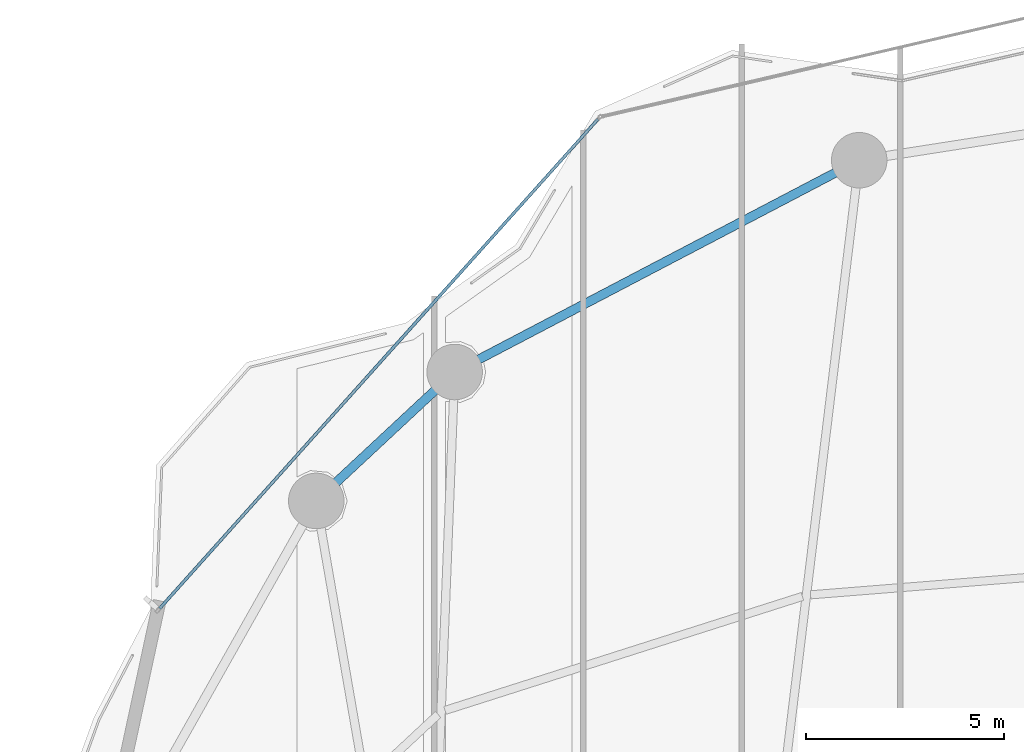
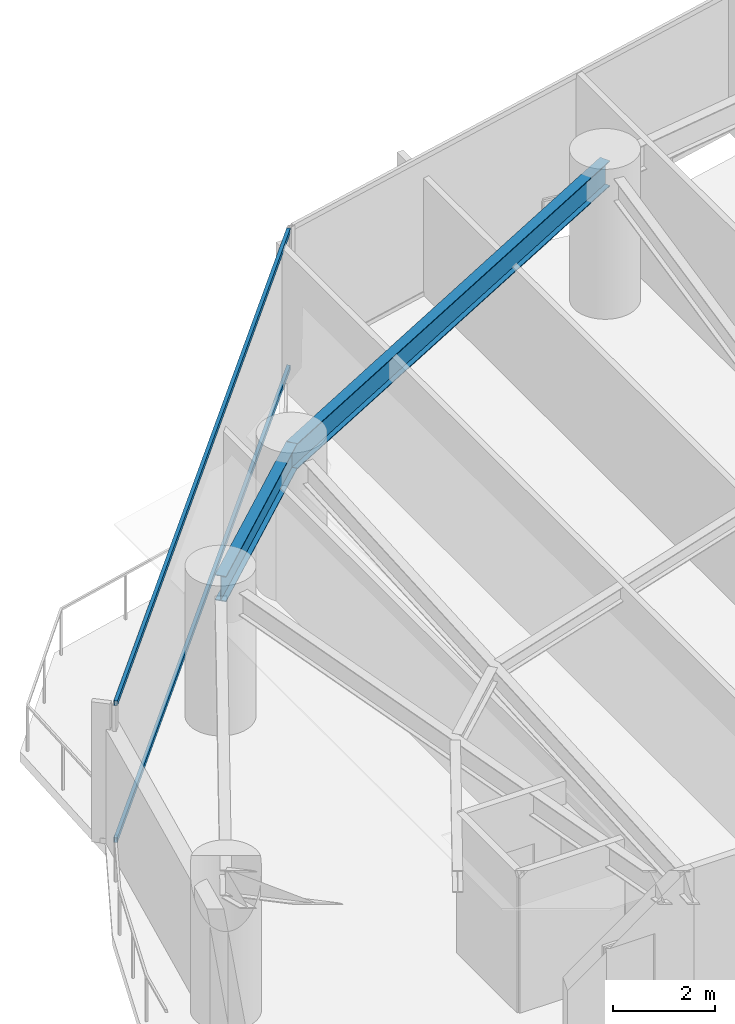
# One storey, part 18 of 32: 2 beams, 2 members, 1 element without a shape of its own.
"""IFC4 building model written with IfcOpenShell, lengths in metres."""

from ifc_helpers import new_model, si_unit, direction, frame, origin, origin_2d, place, context, subcontext, project, spatial, hollow_rectangle, i_section, extrude, material, layer, layer_set, material_profile, profile_set, type_object, element, aggregate, save


model = new_model("IFC4")

# Units and contexts
model_context = context("Model", 3, precision=1e-05, world=origin(), true_north=direction((0.0, 1.0)))
body_context = subcontext(model_context, "Body", "Model", "MODEL_VIEW")
ifc_project = project(units=[si_unit("LENGTHUNIT", "METRE"), si_unit("AREAUNIT", "SQUARE_METRE"), si_unit("VOLUMEUNIT", "CUBIC_METRE"), si_unit("PLANEANGLEUNIT", "RADIAN"), si_unit("MASSUNIT", "GRAM", prefix="KILO")], contexts=[model_context])

# Site, building, storey
site_placement = place(None, origin())
site = spatial("IfcSite", under=ifc_project, at=site_placement, CompositionType="ELEMENT")
building_placement = place(site_placement, origin())
building = spatial("IfcBuilding", under=site, at=building_placement, Name="Kazevale Care Tower and Concert Hall", CompositionType="ELEMENT")
storey_placement = place(building_placement, frame((0.0, 0.0, 85.199951171875)))
storey = spatial("IfcBuildingStorey", under=building, at=storey_placement, Name="L22", CompositionType="ELEMENT", Elevation=85.199951171875)

# Curtain wall, members
ifc_material_1 = material(Name="Aluminium 6063-T6 and Low-E Glass", Category="aluminium")
ifc_layer = layer(ifc_material_1, 0.179931640625)
ifc_layer_set = layer_set([ifc_layer], Name="Aluminium 6063-T6 and Low-E Glass")
curtain_wall_type = type_object("IfcCurtainWallType", Name="Convex Checkerboard Finned Curtain Wall CW-2", PredefinedType="NOTDEFINED", material=ifc_layer_set)
curtain_wall_placement = place(storey_placement, origin())
curtain_wall = element("IfcCurtainWall", 1, at=curtain_wall_placement, inside=storey, type_object=curtain_wall_type, Name="cw:L22:f14", PredefinedType="NOTDEFINED")
ifc_material_2 = material(Name="Aluminium 6063-T6", Category="aluminium")
ifc_material_profile_1 = material_profile(ifc_material_2, hollow_rectangle(XDim=0.074951171875, YDim=0.1201171875, WallThickness=0.00390625, at=origin_2d()), Name="ALU75x120x4")
ifc_profile_set_1 = profile_set([ifc_material_profile_1], Name="Aluminium 6063-T6")
member_type = type_object("IfcMemberType", Name="CW-2 Transom ALU75x120x4", PredefinedType="USERDEFINED", material=ifc_profile_set_1)
member_1_placement = place(storey_placement, frame((15.3193359375, 49.466552734375, 0.03759765625), z_axis=(0.667262631636, 0.744822516055, 0.0), x_axis=(-0.744822516055, 0.667262631636, 0.0)))
member_1 = element("IfcMember", 2, at=member_1_placement, type_object=member_type, Name="CW-2 transom 1.1", ObjectType="TRANSOM", PredefinedType="USERDEFINED", context=body_context, shape_type="SweptSolid", body=[
    extrude(hollow_rectangle(XDim=0.074951171875, YDim=0.1201171875, WallThickness=0.00390625, at=origin_2d()), origin(), (0.0, 0.0, 1.0), 16.5634765625),
])
member_2_placement = place(storey_placement, frame((15.3193359375, 49.466552734375, 3.322509765625), z_axis=(0.667262631636, 0.744822516055, 0.0), x_axis=(-0.744822516055, 0.667262631636, 0.0)))
member_2 = element("IfcMember", 3, at=member_2_placement, type_object=member_type, Name="CW-2 transom 1.2", ObjectType="TRANSOM", PredefinedType="USERDEFINED", context=body_context, shape_type="SweptSolid", body=[
    extrude(hollow_rectangle(XDim=0.074951171875, YDim=0.1201171875, WallThickness=0.00390625, at=origin_2d()), origin(), (0.0, 0.0, 1.0), 16.5634765625),
])
aggregate(curtain_wall, [member_1, member_2])

# Beams
ifc_material_3 = material(Name="Steel ASTM A572 Gr 50", Category="steel")
ifc_material_profile_2 = material_profile(ifc_material_3, i_section(OverallWidth=0.22900390625, OverallDepth=0.612060546875, WebThickness=0.011962890625, FlangeThickness=0.01953125, at=origin_2d()), Name="W610x125")
ifc_profile_set_2 = profile_set([ifc_material_profile_2], Name="Steel ASTM A572 Gr 50")
beam_type = type_object("IfcBeamType", Name="Ring Spandrel Beam W610x125", PredefinedType="SPANDREL", material=ifc_profile_set_2)
beam_1_placement = place(storey_placement, frame((32.9599609375, 60.77001953125, 3.053955078125), z_axis=(-0.885929466679, -0.463819986708, 0.0), x_axis=(0.463819986708, -0.885929466679, 0.0)))
element("IfcBeam", 4, at=beam_1_placement, inside=storey, type_object=beam_type, Name="beam:L22:ring:06", PredefinedType="SPANDREL", context=body_context, shape_type="SweptSolid", body=[
    extrude(i_section(OverallWidth=0.22900390625, OverallDepth=0.612060546875, WebThickness=0.011962890625, FlangeThickness=0.01953125, at=origin_2d()), origin(), (0.0, 0.0, 1.0), 11.51318359375),
])
beam_2_placement = place(storey_placement, frame((22.760009765625, 55.429931640625, 3.053955078125), z_axis=(-0.731820896228, -0.681497010884, 0.0), x_axis=(0.681497010884, -0.731820896228, 0.0)))
element("IfcBeam", 5, at=beam_2_placement, inside=storey, type_object=beam_type, Name="beam:L22:ring:07", PredefinedType="SPANDREL", context=body_context, shape_type="SweptSolid", body=[
    extrude(i_section(OverallWidth=0.22900390625, OverallDepth=0.612060546875, WebThickness=0.011962890625, FlangeThickness=0.01953125, at=origin_2d()), origin(), (0.0, 0.0, 1.0), 4.768798828125),
])

save(model, "model.ifc")
